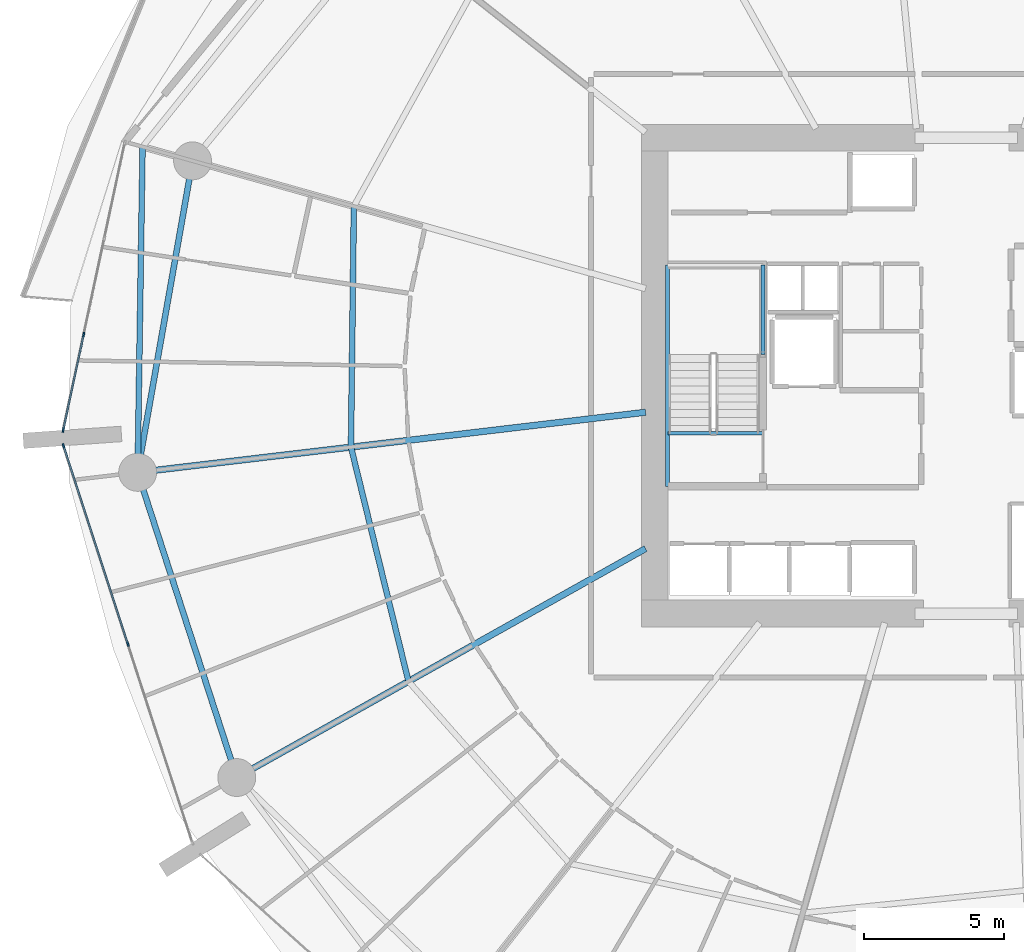
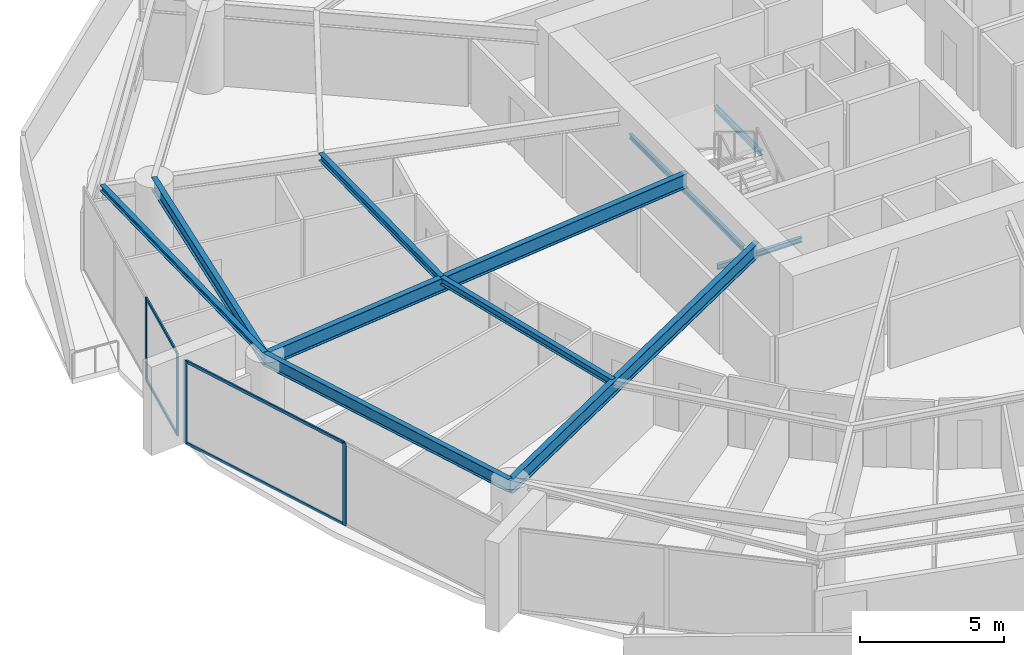
# One storey, part 9 of 31: 10 beams, 8 members, 2 elements without a shape of their own.
"""IFC4 building model written with IfcOpenShell, lengths in metres."""

from ifc_helpers import new_model, si_unit, direction, frame, origin, origin_2d, place, context, subcontext, project, spatial, rectangle, i_section, extrude, material, layer, layer_set, material_profile, profile_set, type_object, element, aggregate, save


model = new_model("IFC4")

# Units and contexts
model_context = context("Model", 3, precision=1e-05, world=origin(), true_north=direction((0.0, 1.0)))
body_context = subcontext(model_context, "Body", "Model", "MODEL_VIEW")
ifc_project = project(units=[si_unit("LENGTHUNIT", "METRE"), si_unit("AREAUNIT", "SQUARE_METRE"), si_unit("VOLUMEUNIT", "CUBIC_METRE"), si_unit("PLANEANGLEUNIT", "RADIAN"), si_unit("MASSUNIT", "GRAM", prefix="KILO")], contexts=[model_context])

# Site, building, storey
site_placement = place(None, origin())
site = spatial("IfcSite", under=ifc_project, at=site_placement, CompositionType="ELEMENT")
building_placement = place(site_placement, origin())
building = spatial("IfcBuilding", under=site, at=building_placement, Name="Kazma Halo Residences", CompositionType="ELEMENT")
storey_placement = place(building_placement, frame((0.0, 0.0, 52.64990234375)))
storey = spatial("IfcBuildingStorey", under=building, at=storey_placement, Name="L12", CompositionType="ELEMENT", Elevation=52.64990234375)

# Beams
ifc_material_1 = material(Name="Steel S355", Category="steel")
ifc_material_profile_1 = material_profile(ifc_material_1, i_section(OverallWidth=0.201904296875, OverallDepth=0.2470703125, WebThickness=0.00732421875, FlangeThickness=0.010986328125, FilletRadius=0.011962890625, at=origin_2d()), Name="W250x49.1")
ifc_profile_set_1 = profile_set([ifc_material_profile_1], Name="Steel S355")
beam_type_1 = type_object("IfcBeamType", Name="BM-BAL-CANT", PredefinedType="BEAM", material=ifc_profile_set_1)
beam_1_placement = place(storey_placement, frame((19.07861328125, 50.15673828125, 3.376708984375), z_axis=(-0.015213846033, -0.999884262747, 0.0), x_axis=(0.999884262747, -0.015213846033, 0.0)))
element("IfcBeam", 1, at=beam_1_placement, inside=storey, type_object=beam_type_1, Name="L12 wave-balcony tie beam 07", PredefinedType="BEAM", context=body_context, shape_type="SweptSolid", body=[
    extrude(i_section(OverallWidth=0.201904296875, OverallDepth=0.2470703125, WebThickness=0.00732421875, FlangeThickness=0.010986328125, FilletRadius=0.011962890625, at=origin_2d()), origin(), (0.0, 0.0, 1.0), 11.602294921875),
])
ifc_material_profile_2 = material_profile(ifc_material_1, i_section(OverallWidth=0.22802734375, OverallDepth=0.60791015625, WebThickness=0.01123046875, FlangeThickness=0.017333984375, FilletRadius=0.01806640625, at=origin_2d()), Name="W610x113")
ifc_profile_set_2 = profile_set([ifc_material_profile_2], Name="Steel S355")
beam_type_2 = type_object("IfcBeamType", Name="BM-RAD-W610", PredefinedType="BEAM", material=ifc_profile_set_2)
beam_2_placement = place(storey_placement, frame((37.0, 40.697998046875, 3.196044921875), z_axis=(-0.993068058728, -0.117540762013, 0.0), x_axis=(0.117540762013, -0.993068058728, 0.0)))
element("IfcBeam", 2, at=beam_2_placement, inside=storey, type_object=beam_type_2, Name="L12 radial floor beam 08", PredefinedType="BEAM", context=body_context, shape_type="SweptSolid", body=[
    extrude(i_section(OverallWidth=0.22802734375, OverallDepth=0.60791015625, WebThickness=0.01123046875, FlangeThickness=0.017333984375, FilletRadius=0.01806640625, at=origin_2d()), origin(), (0.0, 0.0, 1.0), 18.22412109375),
])
beam_3_placement = place(storey_placement, frame((37.0, 35.839599609375, 3.196044921875), z_axis=(-0.872496538947, -0.488620291767, 0.0), x_axis=(0.488620291767, -0.872496538947, 0.0)))
element("IfcBeam", 3, at=beam_3_placement, inside=storey, type_object=beam_type_2, Name="L12 radial floor beam 09", PredefinedType="BEAM", context=body_context, shape_type="SweptSolid", body=[
    extrude(i_section(OverallWidth=0.22802734375, OverallDepth=0.60791015625, WebThickness=0.01123046875, FlangeThickness=0.017333984375, FilletRadius=0.01806640625, at=origin_2d()), origin(), (0.0, 0.0, 1.0), 16.693359375),
])
ifc_material_profile_3 = material_profile(ifc_material_1, i_section(OverallWidth=0.202880859375, OverallDepth=0.302978515625, WebThickness=0.007568359375, FlangeThickness=0.01318359375, FilletRadius=0.013916015625, at=origin_2d()), Name="W310x60")
ifc_profile_set_3 = profile_set([ifc_material_profile_3], Name="Steel S355")
beam_type_3 = type_object("IfcBeamType", Name="BM-SEC-W310A", PredefinedType="JOIST", material=ifc_profile_set_3)
beam_4_placement = place(storey_placement, frame((26.605712890625, 48.033935546875, 3.3486328125), z_axis=(-0.011952697998, -0.999928563954, 0.0), x_axis=(0.999928563954, -0.011952697998, 0.0)))
element("IfcBeam", 4, at=beam_4_placement, inside=storey, type_object=beam_type_3, Name="L12 circumferential floor joist 07", PredefinedType="JOIST", context=body_context, shape_type="SweptSolid", body=[
    extrude(i_section(OverallWidth=0.202880859375, OverallDepth=0.302978515625, WebThickness=0.007568359375, FlangeThickness=0.01318359375, FilletRadius=0.013916015625, at=origin_2d()), origin(), (0.0, 0.0, 1.0), 8.578857421875),
])
beam_5_placement = place(storey_placement, frame((26.503173828125, 39.455810546875, 3.3486328125), z_axis=(0.238409585139, -0.971164697523, 0.0), x_axis=(0.971164697523, 0.238409585139, 0.0)))
element("IfcBeam", 5, at=beam_5_placement, inside=storey, type_object=beam_type_3, Name="L12 circumferential floor joist 08", PredefinedType="JOIST", context=body_context, shape_type="SweptSolid", body=[
    extrude(i_section(OverallWidth=0.202880859375, OverallDepth=0.302978515625, WebThickness=0.007568359375, FlangeThickness=0.01318359375, FilletRadius=0.013916015625, at=origin_2d()), origin(), (0.0, 0.0, 1.0), 8.5947265625),
])
ifc_material_profile_4 = material_profile(ifc_material_1, i_section(OverallWidth=0.208984375, OverallDepth=0.532958984375, WebThickness=0.01025390625, FlangeThickness=0.015625, FilletRadius=0.01611328125, at=origin_2d()), Name="W530x92")
ifc_profile_set_4 = profile_set([ifc_material_profile_4], Name="Steel S355")
beam_type_4 = type_object("IfcBeamType", Name="BM-SPN-W530", PredefinedType="BEAM", material=ifc_profile_set_4)
beam_6_placement = place(storey_placement, frame((20.859130859375, 49.654541015625, 3.233642578125), z_axis=(-0.173651864005, -0.984807103004, 0.0), x_axis=(0.984807103004, -0.173651864005, 0.0)))
element("IfcBeam", 6, at=beam_6_placement, inside=storey, type_object=beam_type_4, Name="L12 perimeter ring beam 07", PredefinedType="BEAM", context=body_context, shape_type="SweptSolid", body=[
    extrude(i_section(OverallWidth=0.208984375, OverallDepth=0.532958984375, WebThickness=0.01025390625, FlangeThickness=0.015625, FilletRadius=0.01611328125, at=origin_2d()), origin(), (0.0, 0.0, 1.0), 11.269775390625),
])
beam_7_placement = place(storey_placement, frame((18.902099609375, 38.555908203125, 3.233642578125), z_axis=(0.309024264898, -0.951054153928, 0.0), x_axis=(0.951054153928, 0.309024264898, 0.0)))
element("IfcBeam", 7, at=beam_7_placement, inside=storey, type_object=beam_type_4, Name="L12 perimeter ring beam 08", PredefinedType="BEAM", context=body_context, shape_type="SweptSolid", body=[
    extrude(i_section(OverallWidth=0.208984375, OverallDepth=0.532958984375, WebThickness=0.01025390625, FlangeThickness=0.015625, FilletRadius=0.01611328125, at=origin_2d()), origin(), (0.0, 0.0, 1.0), 11.4326171875),
])
ifc_material_profile_5 = material_profile(ifc_material_1, i_section(OverallWidth=0.133056640625, OverallDepth=0.20703125, WebThickness=0.005859375, FlangeThickness=0.00830078125, FilletRadius=0.010009765625, at=origin_2d()), Name="W200x26.6")
ifc_profile_set_5 = profile_set([ifc_material_profile_5], Name="Steel S355")
beam_type_5 = type_object("IfcBeamType", Name="BM-TRIM-W200", PredefinedType="BEAM", material=ifc_profile_set_5)
beam_8_placement = place(storey_placement, frame((37.800048828125, 39.949951171875, -0.35986328125), z_axis=(1.0, 0.0, 0.0), x_axis=(0.0, 1.0, 0.0)))
element("IfcBeam", 8, at=beam_8_placement, inside=storey, type_object=beam_type_5, Name="L12 ST-01 floor landing support beam", PredefinedType="BEAM", context=body_context, shape_type="SweptSolid", body=[
    extrude(i_section(OverallWidth=0.133056640625, OverallDepth=0.20703125, WebThickness=0.005859375, FlangeThickness=0.00830078125, FilletRadius=0.010009765625, at=origin_2d()), origin(), (0.0, 0.0, 1.0), 3.3798828125),
])
beam_9_placement = place(storey_placement, frame((37.780029296875, 38.06005859375, 1.570068359375), z_axis=(0.0, 1.0, 0.0), x_axis=(-1.0, 0.0, 0.0)))
element("IfcBeam", 9, at=beam_9_placement, inside=storey, type_object=beam_type_5, Name="L12 ST-01 landing west wall ledger", PredefinedType="BEAM", context=body_context, shape_type="SweptSolid", body=[
    extrude(i_section(OverallWidth=0.133056640625, OverallDepth=0.20703125, WebThickness=0.005859375, FlangeThickness=0.00830078125, FilletRadius=0.010009765625, at=origin_2d()), origin(), (0.0, 0.0, 1.0), 7.8798828125),
])
beam_10_placement = place(storey_placement, frame((41.179931640625, 42.75, 1.570068359375), z_axis=(0.0, 1.0, 0.0), x_axis=(-1.0, 0.0, 0.0)))
element("IfcBeam", 10, at=beam_10_placement, inside=storey, type_object=beam_type_5, Name="L12 ST-01 landing east wall ledger", PredefinedType="BEAM", context=body_context, shape_type="SweptSolid", body=[
    extrude(i_section(OverallWidth=0.133056640625, OverallDepth=0.20703125, WebThickness=0.005859375, FlangeThickness=0.00830078125, FilletRadius=0.010009765625, at=origin_2d()), origin(), (0.0, 0.0, 1.0), 3.18994140625),
])

# Curtain wall, members
ifc_material_2 = material(Name="Aluminium AW-6063 T6 and Triple-Silver Low-E Glass", Category="aluminium")
ifc_layer = layer(ifc_material_2, 0.159912109375)
ifc_layer_set = layer_set([ifc_layer], Name="Aluminium AW-6063 T6 and Triple-Silver Low-E Glass")
curtain_wall_type = type_object("IfcCurtainWallType", Name="CW-SYS-2", PredefinedType="NOTDEFINED", material=ifc_layer_set)
curtain_wall_1_placement = place(storey_placement, origin())
curtain_wall_1 = element("IfcCurtainWall", 11, at=curtain_wall_1_placement, inside=storey, type_object=curtain_wall_type, Name="L12 unitised curtain wall B07", PredefinedType="NOTDEFINED")
ifc_material_3 = material(Name="Aluminium AW-6063 T6", Category="aluminium")
ifc_material_profile_6 = material_profile(ifc_material_3, rectangle(XDim=0.06005859375, YDim=0.159912109375, at=origin_2d()), Name="CWM-60x160")
ifc_profile_set_6 = profile_set([ifc_material_profile_6], Name="Aluminium AW-6063 T6")
member_type_1 = type_object("IfcMemberType", Name="CW-SYS-2-MUL", PredefinedType="MULLION", material=ifc_profile_set_6)
member_1_placement = place(storey_placement, frame((16.980712890625, 43.46435546875, 0.0), z_axis=(0.0, 0.0, 1.0), x_axis=(0.977779215096, -0.209637321406, 0.0)))
member_1 = element("IfcMember", 12, at=member_1_placement, type_object=member_type_1, Name="CWS-2 mullion 3", PredefinedType="MULLION", context=body_context, shape_type="SweptSolid", body=[
    extrude(rectangle(XDim=0.06005859375, YDim=0.159912109375, at=origin_2d()), origin(), (0.0, 0.0, 1.0), 3.5),
])
member_2_placement = place(storey_placement, frame((16.25048828125, 40.059326171875, 0.0), z_axis=(0.0, 0.0, 1.0), x_axis=(0.977779215096, -0.209637321406, 0.0)))
member_2 = element("IfcMember", 13, at=member_2_placement, type_object=member_type_1, Name="CWS-2 mullion 4", PredefinedType="MULLION", context=body_context, shape_type="SweptSolid", body=[
    extrude(rectangle(XDim=0.06005859375, YDim=0.159912109375, at=origin_2d()), origin(), (0.0, 0.0, 1.0), 3.5),
])

curtain_wall_2_placement = place(storey_placement, origin())
curtain_wall_2 = element("IfcCurtainWall", 14, at=curtain_wall_2_placement, inside=storey, type_object=curtain_wall_type, Name="L12 unitised curtain wall B08", PredefinedType="NOTDEFINED")
member_3_placement = place(storey_placement, frame((16.26171875, 39.500732421875, 0.0), z_axis=(0.0, 0.0, 1.0), x_axis=(0.95105652404, 0.309016970539, 0.0)))
member_3 = element("IfcMember", 15, at=member_3_placement, type_object=member_type_1, Name="CWS-2 mullion 1", PredefinedType="MULLION", context=body_context, shape_type="SweptSolid", body=[
    extrude(rectangle(XDim=0.06005859375, YDim=0.159912109375, at=origin_2d()), origin(), (0.0, 0.0, 1.0), 3.5),
])
member_4_placement = place(storey_placement, frame((18.55810546875, 32.43359375, 0.0), z_axis=(0.0, 0.0, 1.0), x_axis=(0.95105652404, 0.309016970539, 0.0)))
member_4 = element("IfcMember", 16, at=member_4_placement, type_object=member_type_1, Name="CWS-2 mullion 2", PredefinedType="MULLION", context=body_context, shape_type="SweptSolid", body=[
    extrude(rectangle(XDim=0.06005859375, YDim=0.159912109375, at=origin_2d()), origin(), (0.0, 0.0, 1.0), 3.5),
])

# Member
ifc_material_profile_7 = material_profile(ifc_material_3, rectangle(XDim=0.06005859375, YDim=0.1201171875, at=origin_2d()), Name="CWT-60x120")
ifc_profile_set_7 = profile_set([ifc_material_profile_7], Name="Aluminium AW-6063 T6")
member_type_2 = type_object("IfcMemberType", Name="CW-SYS-2-TRN", PredefinedType="USERDEFINED", material=ifc_profile_set_7)
member_5_placement = place(storey_placement, frame((16.974365234375, 43.434814453125, 0.030029296875), z_axis=(-0.209665500897, -0.977773172946, 0.0), x_axis=(0.977773172946, -0.209665500897, 0.0)))
member_5 = element("IfcMember", 17, at=member_5_placement, type_object=member_type_2, Name="CWS-2 transom 3.1", ObjectType="TRANSOM", PredefinedType="USERDEFINED", context=body_context, shape_type="SweptSolid", body=[
    extrude(rectangle(XDim=0.06005859375, YDim=0.1201171875, at=origin_2d()), origin(), (0.0, 0.0, 1.0), 3.42236328125),
])

member_6_placement = place(storey_placement, frame((16.974365234375, 43.434814453125, 3.47021484375), z_axis=(-0.209665500897, -0.977773172946, 0.0), x_axis=(0.977773172946, -0.209665500897, 0.0)))
member_6 = element("IfcMember", 18, at=member_6_placement, type_object=member_type_2, Name="CWS-2 transom 3.2", ObjectType="TRANSOM", PredefinedType="USERDEFINED", context=body_context, shape_type="SweptSolid", body=[
    extrude(rectangle(XDim=0.06005859375, YDim=0.1201171875, at=origin_2d()), origin(), (0.0, 0.0, 1.0), 3.42236328125),
])

aggregate(curtain_wall_1, [member_1, member_2, member_5, member_6])

member_7_placement = place(storey_placement, frame((16.27099609375, 39.47216796875, 0.030029296875), z_axis=(0.309034393795, -0.951050862705, 0.0), x_axis=(0.951050862705, 0.309034393795, 0.0)))
member_7 = element("IfcMember", 19, at=member_7_placement, type_object=member_type_2, Name="CWS-2 transom 1.1", ObjectType="TRANSOM", PredefinedType="USERDEFINED", context=body_context, shape_type="SweptSolid", body=[
    extrude(rectangle(XDim=0.06005859375, YDim=0.1201171875, at=origin_2d()), origin(), (0.0, 0.0, 1.0), 7.370849609375),
])

member_8_placement = place(storey_placement, frame((16.27099609375, 39.47216796875, 3.47021484375), z_axis=(0.309034393795, -0.951050862705, 0.0), x_axis=(0.951050862705, 0.309034393795, 0.0)))
member_8 = element("IfcMember", 20, at=member_8_placement, type_object=member_type_2, Name="CWS-2 transom 1.2", ObjectType="TRANSOM", PredefinedType="USERDEFINED", context=body_context, shape_type="SweptSolid", body=[
    extrude(rectangle(XDim=0.06005859375, YDim=0.1201171875, at=origin_2d()), origin(), (0.0, 0.0, 1.0), 7.370849609375),
])

aggregate(curtain_wall_2, [member_3, member_4, member_7, member_8])

save(model, "model.ifc")
